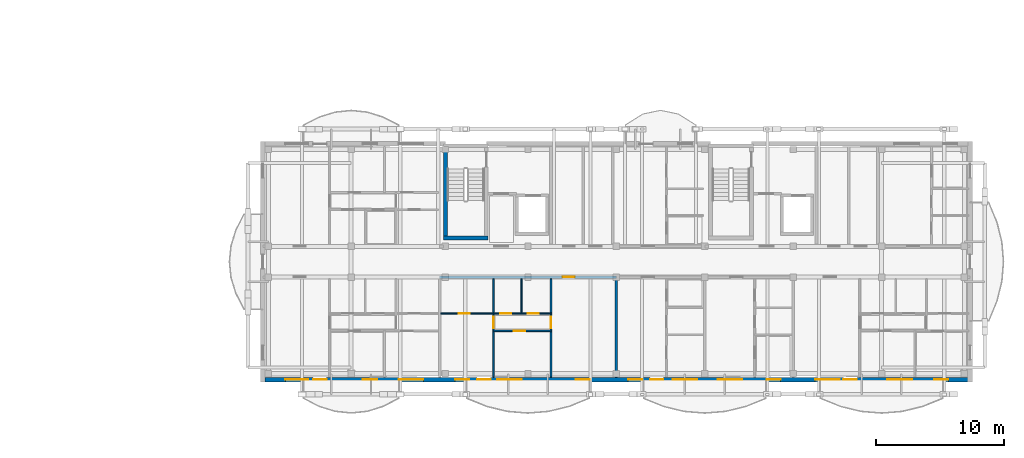
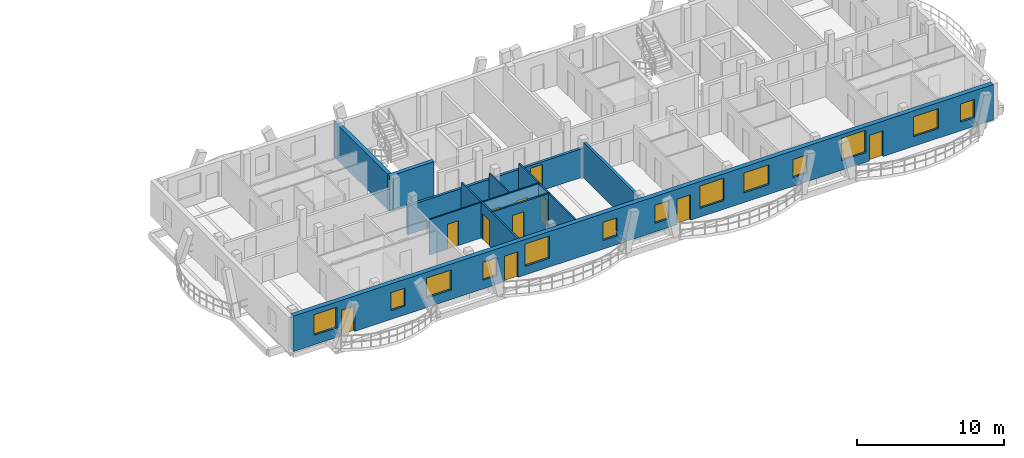
# One storey, part 30 of 50: 13 windows, 11 doors, 10 walls, 24 openings.
"""IFC4 building model written with IfcOpenShell, lengths in metres."""

from ifc_helpers import new_model, si_unit, direction, frame, frame_2d, origin, origin_with_axes, place, context, subcontext, project, spatial, rectangle, extrude, material, layer, layer_set, type_object, element, fill, save


model = new_model("IFC4")

# Units and contexts
model_context = context("Model", 3, precision=1e-05, world=origin(), true_north=direction((0.0, 1.0)))
body_context = subcontext(model_context, "Body", "Model", "MODEL_VIEW")
ifc_project = project(units=[si_unit("LENGTHUNIT", "METRE"), si_unit("AREAUNIT", "SQUARE_METRE"), si_unit("VOLUMEUNIT", "CUBIC_METRE"), si_unit("PLANEANGLEUNIT", "RADIAN"), si_unit("MASSUNIT", "GRAM", prefix="KILO")], contexts=[model_context])

# Site, building, storey
site_placement = place(None, origin())
site = spatial("IfcSite", under=ifc_project, at=site_placement, CompositionType="ELEMENT")
building_placement = place(site_placement, origin())
building = spatial("IfcBuilding", under=site, at=building_placement, Name="Zavelmont Quarter", CompositionType="ELEMENT")
storey_placement = place(building_placement, frame((0.0, 0.0, 11.199951171875)))
storey = spatial("IfcBuildingStorey", under=building, at=storey_placement, Name="L03", CompositionType="ELEMENT", Elevation=11.199951171875)

# Wall, openings, doors, windows
ifc_material_1 = material(Name="Natural Belgian limestone", Category="masonry")
ifc_layer_1 = layer(ifc_material_1, 0.360107421875)
ifc_layer_set_1 = layer_set([ifc_layer_1], Name="Natural Belgian limestone")
wall_type_1 = type_object("IfcWallType", Name="EW02", PredefinedType="STANDARD", material=ifc_layer_set_1)
wall_1_placement = place(storey_placement, frame((112.969970703125, 0.0, 0.0), z_axis=(0.0, 0.0, 1.0), x_axis=(1.0, 0.0, 0.0)))
wall_1 = element("IfcWall", 1, at=wall_1_placement, inside=storey, type_object=wall_type_1, Name="L03 exterior limestone wall EW02", PredefinedType="STANDARD", context=body_context, shape_type="SweptSolid", body=[
    extrude(rectangle(XDim=54.860107421875, YDim=0.360107421875, at=frame_2d((27.43017578125, 0.0))), origin(), (0.0, 0.0, 1.0), 2.93994140625),
])
opening_1_placement = place(wall_1_placement, frame((3.763671875, 0.0, 0.0)))
opening_1 = element("IfcOpeningElement", 2, at=opening_1_placement, cuts=wall_1, Name="Opening DR04A", PredefinedType="OPENING", context=body_context, shape_type="SweptSolid", body=[
    extrude(rectangle(XDim=1.050048828125, YDim=2.1201171875, at=frame_2d((0.52490234375, 1.06005859375))), frame((0.0, 0.19189453125, 0.0), z_axis=(0.0, -1.0, 0.0), x_axis=(1.0, 0.0, 0.0)), (0.0, 0.0, 1.0), 0.384033203125),
])
opening_2_placement = place(wall_1_placement, frame((16.5576171875, 0.0, 0.0)))
opening_2 = element("IfcOpeningElement", 3, at=opening_2_placement, cuts=wall_1, Name="Opening DR04A", PredefinedType="OPENING", context=body_context, shape_type="SweptSolid", body=[
    extrude(rectangle(XDim=1.050048828125, YDim=2.1201171875, at=frame_2d((0.52490234375, 1.06005859375))), frame((0.0, 0.19189453125, 0.0), z_axis=(0.0, -1.0, 0.0), x_axis=(1.0, 0.0, 0.0)), (0.0, 0.0, 1.0), 0.384033203125),
])
opening_3_placement = place(wall_1_placement, frame((30.0576171875, 0.0, 0.0)))
opening_3 = element("IfcOpeningElement", 4, at=opening_3_placement, cuts=wall_1, Name="Opening DR04A", PredefinedType="OPENING", context=body_context, shape_type="SweptSolid", body=[
    extrude(rectangle(XDim=1.050048828125, YDim=2.1201171875, at=frame_2d((0.52490234375, 1.06005859375))), frame((0.0, 0.19189453125, 0.0), z_axis=(0.0, -1.0, 0.0), x_axis=(1.0, 0.0, 0.0)), (0.0, 0.0, 1.0), 0.384033203125),
])
opening_4_placement = place(wall_1_placement, frame((45.15771484375, 0.0, 0.0)))
opening_4 = element("IfcOpeningElement", 5, at=opening_4_placement, cuts=wall_1, Name="Opening DR04A", PredefinedType="OPENING", context=body_context, shape_type="SweptSolid", body=[
    extrude(rectangle(XDim=1.050048828125, YDim=2.1201171875, at=frame_2d((0.52490234375, 1.06005859375))), frame((0.0, 0.19189453125, 0.0), z_axis=(0.0, -1.0, 0.0), x_axis=(1.0, 0.0, 0.0)), (0.0, 0.0, 1.0), 0.384033203125),
])
opening_5_placement = place(wall_1_placement, frame((1.60009765625, 0.0, 0.800048828125)))
opening_5 = element("IfcOpeningElement", 6, at=opening_5_placement, cuts=wall_1, Name="Opening WN02", PredefinedType="OPENING", context=body_context, shape_type="SweptSolid", body=[
    extrude(rectangle(XDim=1.800048828125, YDim=1.699951171875, at=frame_2d((0.89990234375, 0.85009765625))), frame((0.0, 0.19189453125, 0.0), z_axis=(0.0, -1.0, 0.0), x_axis=(1.0, 0.0, 0.0)), (0.0, 0.0, 1.0), 0.384033203125),
])
opening_6_placement = place(wall_1_placement, frame((7.64990234375, 0.0, 0.719970703125)))
opening_6 = element("IfcOpeningElement", 7, at=opening_6_placement, cuts=wall_1, Name="Opening WN09", PredefinedType="OPENING", context=body_context, shape_type="SweptSolid", body=[
    extrude(rectangle(XDim=1.10009765625, YDim=1.5, at=frame_2d((0.550048828125, 0.75))), frame((0.0, 0.19189453125, 0.0), z_axis=(0.0, -1.0, 0.0), x_axis=(1.0, 0.0, 0.0)), (0.0, 0.0, 1.0), 0.384033203125),
])
opening_7_placement = place(wall_1_placement, frame((10.425048828125, 0.0, 0.800048828125)))
opening_7 = element("IfcOpeningElement", 8, at=opening_7_placement, cuts=wall_1, Name="Opening WN24", PredefinedType="OPENING", context=body_context, shape_type="SweptSolid", body=[
    extrude(rectangle(XDim=1.949951171875, YDim=1.64990234375, at=frame_2d((0.97509765625, 0.824951171875))), frame((0.0, 0.19189453125, 0.0), z_axis=(0.0, -1.0, 0.0), x_axis=(1.0, 0.0, 0.0)), (0.0, 0.0, 1.0), 0.384033203125),
])
opening_8_placement = place(wall_1_placement, frame((14.85009765625, 0.0, 0.719970703125)))
opening_8 = element("IfcOpeningElement", 9, at=opening_8_placement, cuts=wall_1, Name="Opening WN09", PredefinedType="OPENING", context=body_context, shape_type="SweptSolid", body=[
    extrude(rectangle(XDim=1.10009765625, YDim=1.5, at=frame_2d((0.550048828125, 0.75))), frame((0.0, 0.19189453125, 0.0), z_axis=(0.0, -1.0, 0.0), x_axis=(1.0, 0.0, 0.0)), (0.0, 0.0, 1.0), 0.384033203125),
])
opening_9_placement = place(wall_1_placement, frame((18.14990234375, 0.0, 0.719970703125)))
opening_9 = element("IfcOpeningElement", 10, at=opening_9_placement, cuts=wall_1, Name="Opening WN20", PredefinedType="OPENING", context=body_context, shape_type="SweptSolid", body=[
    extrude(rectangle(XDim=1.89990234375, YDim=1.85009765625, at=frame_2d((0.949951171875, 0.925048828125))), frame((0.0, 0.19189453125, 0.0), z_axis=(0.0, -1.0, 0.0), x_axis=(1.0, 0.0, 0.0)), (0.0, 0.0, 1.0), 0.384033203125),
])
opening_10_placement = place(wall_1_placement, frame((24.25, 0.0, 0.719970703125)))
opening_10 = element("IfcOpeningElement", 11, at=opening_10_placement, cuts=wall_1, Name="Opening WN09", PredefinedType="OPENING", context=body_context, shape_type="SweptSolid", body=[
    extrude(rectangle(XDim=1.10009765625, YDim=1.5, at=frame_2d((0.550048828125, 0.75))), frame((0.0, 0.19189453125, 0.0), z_axis=(0.0, -1.0, 0.0), x_axis=(1.0, 0.0, 0.0)), (0.0, 0.0, 1.0), 0.384033203125),
])
opening_11_placement = place(wall_1_placement, frame((28.35009765625, 0.0, 0.719970703125)))
opening_11 = element("IfcOpeningElement", 12, at=opening_11_placement, cuts=wall_1, Name="Opening WN09", PredefinedType="OPENING", context=body_context, shape_type="SweptSolid", body=[
    extrude(rectangle(XDim=1.10009765625, YDim=1.5, at=frame_2d((0.550048828125, 0.75))), frame((0.0, 0.19189453125, 0.0), z_axis=(0.0, -1.0, 0.0), x_axis=(1.0, 0.0, 0.0)), (0.0, 0.0, 1.0), 0.384033203125),
])
opening_12_placement = place(wall_1_placement, frame((31.85009765625, 0.0, 0.719970703125)))
opening_12 = element("IfcOpeningElement", 13, at=opening_12_placement, cuts=wall_1, Name="Opening WN20", PredefinedType="OPENING", context=body_context, shape_type="SweptSolid", body=[
    extrude(rectangle(XDim=1.89990234375, YDim=1.85009765625, at=frame_2d((0.949951171875, 0.925048828125))), frame((0.0, 0.19189453125, 0.0), z_axis=(0.0, -1.0, 0.0), x_axis=(1.0, 0.0, 0.0)), (0.0, 0.0, 1.0), 0.384033203125),
])
opening_13_placement = place(wall_1_placement, frame((35.324951171875, 0.0, 0.800048828125)))
opening_13 = element("IfcOpeningElement", 14, at=opening_13_placement, cuts=wall_1, Name="Opening WN24", PredefinedType="OPENING", context=body_context, shape_type="SweptSolid", body=[
    extrude(rectangle(XDim=1.949951171875, YDim=1.64990234375, at=frame_2d((0.97509765625, 0.824951171875))), frame((0.0, 0.19189453125, 0.0), z_axis=(0.0, -1.0, 0.0), x_axis=(1.0, 0.0, 0.0)), (0.0, 0.0, 1.0), 0.384033203125),
])
opening_14_placement = place(wall_1_placement, frame((39.14990234375, 0.0, 0.719970703125)))
opening_14 = element("IfcOpeningElement", 15, at=opening_14_placement, cuts=wall_1, Name="Opening WN09", PredefinedType="OPENING", context=body_context, shape_type="SweptSolid", body=[
    extrude(rectangle(XDim=1.10009765625, YDim=1.5, at=frame_2d((0.550048828125, 0.75))), frame((0.0, 0.19189453125, 0.0), z_axis=(0.0, -1.0, 0.0), x_axis=(1.0, 0.0, 0.0)), (0.0, 0.0, 1.0), 0.384033203125),
])
opening_15_placement = place(wall_1_placement, frame((42.949951171875, 0.0, 0.800048828125)))
opening_15 = element("IfcOpeningElement", 16, at=opening_15_placement, cuts=wall_1, Name="Opening WN20", PredefinedType="OPENING", context=body_context, shape_type="SweptSolid", body=[
    extrude(rectangle(XDim=1.89990234375, YDim=1.85009765625, at=frame_2d((0.949951171875, 0.925048828125))), frame((0.0, 0.19189453125, 0.0), z_axis=(0.0, -1.0, 0.0), x_axis=(1.0, 0.0, 0.0)), (0.0, 0.0, 1.0), 0.384033203125),
])
opening_16_placement = place(wall_1_placement, frame((48.58251953125, 0.0, 0.800048828125)))
opening_16 = element("IfcOpeningElement", 17, at=opening_16_placement, cuts=wall_1, Name="Opening WN24", PredefinedType="OPENING", context=body_context, shape_type="SweptSolid", body=[
    extrude(rectangle(XDim=1.949951171875, YDim=1.64990234375, at=frame_2d((0.97509765625, 0.824951171875))), frame((0.0, 0.19189453125, 0.0), z_axis=(0.0, -1.0, 0.0), x_axis=(1.0, 0.0, 0.0)), (0.0, 0.0, 1.0), 0.384033203125),
])
opening_17_placement = place(wall_1_placement, frame((52.25, 0.0, 0.719970703125)))
opening_17 = element("IfcOpeningElement", 18, at=opening_17_placement, cuts=wall_1, Name="Opening WN09", PredefinedType="OPENING", context=body_context, shape_type="SweptSolid", body=[
    extrude(rectangle(XDim=1.10009765625, YDim=1.5, at=frame_2d((0.550048828125, 0.75))), frame((0.0, 0.19189453125, 0.0), z_axis=(0.0, -1.0, 0.0), x_axis=(1.0, 0.0, 0.0)), (0.0, 0.0, 1.0), 0.384033203125),
])
ifc_material_2 = material(Name="Thermally broken aluminium and double safety glass", Category="aluminium")
door_type_1 = type_object("IfcDoorType", Name="DR04A", OperationType="NOTDEFINED", PredefinedType="DOOR", material=ifc_material_2)
door_1_placement = place(opening_1_placement, origin_with_axes())
door_1 = element("IfcDoor", 19, at=door_1_placement, inside=storey, type_object=door_type_1, Name="Block D L03 glazed balcony door", OperationType="SINGLE_SWING_RIGHT", OverallHeight=2.1201171875, OverallWidth=1.050048828125, PredefinedType="DOOR", context=body_context, shape_type="SweptSolid", body=[
    extrude(rectangle(XDim=1.050048828125, YDim=2.1201171875, at=frame_2d((0.52490234375, 1.06005859375))), frame((0.0, 0.02490234375, 0.0), z_axis=(0.0, -1.0, 0.0), x_axis=(1.0, 0.0, 0.0)), (0.0, 0.0, 1.0), 0.050048828125),
])
fill(opening_1, door_1)
door_2_placement = place(opening_2_placement, origin_with_axes())
door_2 = element("IfcDoor", 20, at=door_2_placement, inside=storey, type_object=door_type_1, Name="Block D L03 glazed balcony door", OperationType="SINGLE_SWING_RIGHT", OverallHeight=2.1201171875, OverallWidth=1.050048828125, PredefinedType="DOOR", context=body_context, shape_type="SweptSolid", body=[
    extrude(rectangle(XDim=1.050048828125, YDim=2.1201171875, at=frame_2d((0.52490234375, 1.06005859375))), frame((0.0, 0.02490234375, 0.0), z_axis=(0.0, -1.0, 0.0), x_axis=(1.0, 0.0, 0.0)), (0.0, 0.0, 1.0), 0.050048828125),
])
fill(opening_2, door_2)
door_3_placement = place(opening_3_placement, origin_with_axes())
door_3 = element("IfcDoor", 21, at=door_3_placement, inside=storey, type_object=door_type_1, Name="Block D L03 glazed balcony door", OperationType="SINGLE_SWING_RIGHT", OverallHeight=2.1201171875, OverallWidth=1.050048828125, PredefinedType="DOOR", context=body_context, shape_type="SweptSolid", body=[
    extrude(rectangle(XDim=1.050048828125, YDim=2.1201171875, at=frame_2d((0.52490234375, 1.06005859375))), frame((0.0, 0.02490234375, 0.0), z_axis=(0.0, -1.0, 0.0), x_axis=(1.0, 0.0, 0.0)), (0.0, 0.0, 1.0), 0.050048828125),
])
fill(opening_3, door_3)
door_4_placement = place(opening_4_placement, origin_with_axes())
door_4 = element("IfcDoor", 22, at=door_4_placement, inside=storey, type_object=door_type_1, Name="Block D L03 glazed balcony door", OperationType="SINGLE_SWING_RIGHT", OverallHeight=2.1201171875, OverallWidth=1.050048828125, PredefinedType="DOOR", context=body_context, shape_type="SweptSolid", body=[
    extrude(rectangle(XDim=1.050048828125, YDim=2.1201171875, at=frame_2d((0.52490234375, 1.06005859375))), frame((0.0, 0.02490234375, 0.0), z_axis=(0.0, -1.0, 0.0), x_axis=(1.0, 0.0, 0.0)), (0.0, 0.0, 1.0), 0.050048828125),
])
fill(opening_4, door_4)
ifc_material_3 = material(Name="Double low-E insulated glazing in thermally broken aluminium frame", Category="aluminium")
window_type_1 = type_object("IfcWindowType", Name="WN02", PartitioningType="SINGLE_PANEL", PredefinedType="WINDOW", material=ifc_material_3)
window_1_placement = place(opening_5_placement, origin_with_axes())
window_1 = element("IfcWindow", 23, at=window_1_placement, inside=storey, type_object=window_type_1, Name="L03 window WN02", OverallHeight=1.699951171875, OverallWidth=1.800048828125, PartitioningType="SINGLE_PANEL", PredefinedType="WINDOW", context=body_context, shape_type="SweptSolid", body=[
    extrude(rectangle(XDim=1.800048828125, YDim=1.699951171875, at=frame_2d((0.89990234375, 0.85009765625))), frame((0.0, 0.030029296875, 0.0), z_axis=(0.0, -1.0, 0.0), x_axis=(1.0, 0.0, 0.0)), (0.0, 0.0, 1.0), 0.06005859375),
])
fill(opening_5, window_1)
window_type_2 = type_object("IfcWindowType", Name="WN09", PartitioningType="SINGLE_PANEL", PredefinedType="WINDOW", material=ifc_material_3)
window_2_placement = place(opening_6_placement, origin_with_axes())
window_2 = element("IfcWindow", 24, at=window_2_placement, inside=storey, type_object=window_type_2, Name="L03 window WN09", OverallHeight=1.5, OverallWidth=1.10009765625, PartitioningType="SINGLE_PANEL", PredefinedType="WINDOW", context=body_context, shape_type="SweptSolid", body=[
    extrude(rectangle(XDim=1.10009765625, YDim=1.5, at=frame_2d((0.550048828125, 0.75))), frame((0.0, 0.030029296875, 0.0), z_axis=(0.0, -1.0, 0.0), x_axis=(1.0, 0.0, 0.0)), (0.0, 0.0, 1.0), 0.06005859375),
])
fill(opening_6, window_2)
window_3_placement = place(opening_8_placement, origin_with_axes())
window_3 = element("IfcWindow", 25, at=window_3_placement, inside=storey, type_object=window_type_2, Name="L03 window WN09", OverallHeight=1.5, OverallWidth=1.10009765625, PartitioningType="SINGLE_PANEL", PredefinedType="WINDOW", context=body_context, shape_type="SweptSolid", body=[
    extrude(rectangle(XDim=1.10009765625, YDim=1.5, at=frame_2d((0.550048828125, 0.75))), frame((0.0, 0.030029296875, 0.0), z_axis=(0.0, -1.0, 0.0), x_axis=(1.0, 0.0, 0.0)), (0.0, 0.0, 1.0), 0.06005859375),
])
fill(opening_8, window_3)
window_4_placement = place(opening_10_placement, origin_with_axes())
window_4 = element("IfcWindow", 26, at=window_4_placement, inside=storey, type_object=window_type_2, Name="L03 window WN09", OverallHeight=1.5, OverallWidth=1.10009765625, PartitioningType="SINGLE_PANEL", PredefinedType="WINDOW", context=body_context, shape_type="SweptSolid", body=[
    extrude(rectangle(XDim=1.10009765625, YDim=1.5, at=frame_2d((0.550048828125, 0.75))), frame((0.0, 0.030029296875, 0.0), z_axis=(0.0, -1.0, 0.0), x_axis=(1.0, 0.0, 0.0)), (0.0, 0.0, 1.0), 0.06005859375),
])
fill(opening_10, window_4)
window_5_placement = place(opening_11_placement, origin_with_axes())
window_5 = element("IfcWindow", 27, at=window_5_placement, inside=storey, type_object=window_type_2, Name="L03 window WN09", OverallHeight=1.5, OverallWidth=1.10009765625, PartitioningType="SINGLE_PANEL", PredefinedType="WINDOW", context=body_context, shape_type="SweptSolid", body=[
    extrude(rectangle(XDim=1.10009765625, YDim=1.5, at=frame_2d((0.550048828125, 0.75))), frame((0.0, 0.030029296875, 0.0), z_axis=(0.0, -1.0, 0.0), x_axis=(1.0, 0.0, 0.0)), (0.0, 0.0, 1.0), 0.06005859375),
])
fill(opening_11, window_5)
window_6_placement = place(opening_14_placement, origin_with_axes())
window_6 = element("IfcWindow", 28, at=window_6_placement, inside=storey, type_object=window_type_2, Name="L03 window WN09", OverallHeight=1.5, OverallWidth=1.10009765625, PartitioningType="SINGLE_PANEL", PredefinedType="WINDOW", context=body_context, shape_type="SweptSolid", body=[
    extrude(rectangle(XDim=1.10009765625, YDim=1.5, at=frame_2d((0.550048828125, 0.75))), frame((0.0, 0.030029296875, 0.0), z_axis=(0.0, -1.0, 0.0), x_axis=(1.0, 0.0, 0.0)), (0.0, 0.0, 1.0), 0.06005859375),
])
fill(opening_14, window_6)
window_7_placement = place(opening_17_placement, origin_with_axes())
window_7 = element("IfcWindow", 29, at=window_7_placement, inside=storey, type_object=window_type_2, Name="L03 window WN09", OverallHeight=1.5, OverallWidth=1.10009765625, PartitioningType="SINGLE_PANEL", PredefinedType="WINDOW", context=body_context, shape_type="SweptSolid", body=[
    extrude(rectangle(XDim=1.10009765625, YDim=1.5, at=frame_2d((0.550048828125, 0.75))), frame((0.0, 0.030029296875, 0.0), z_axis=(0.0, -1.0, 0.0), x_axis=(1.0, 0.0, 0.0)), (0.0, 0.0, 1.0), 0.06005859375),
])
fill(opening_17, window_7)
window_type_3 = type_object("IfcWindowType", Name="WN20", PartitioningType="SINGLE_PANEL", PredefinedType="WINDOW", material=ifc_material_3)
window_8_placement = place(opening_9_placement, origin_with_axes())
window_8 = element("IfcWindow", 30, at=window_8_placement, inside=storey, type_object=window_type_3, Name="L03 window WN20", OverallHeight=1.85009765625, OverallWidth=1.89990234375, PartitioningType="SINGLE_PANEL", PredefinedType="WINDOW", context=body_context, shape_type="SweptSolid", body=[
    extrude(rectangle(XDim=1.89990234375, YDim=1.85009765625, at=frame_2d((0.949951171875, 0.925048828125))), frame((0.0, 0.030029296875, 0.0), z_axis=(0.0, -1.0, 0.0), x_axis=(1.0, 0.0, 0.0)), (0.0, 0.0, 1.0), 0.06005859375),
])
fill(opening_9, window_8)
window_9_placement = place(opening_12_placement, origin_with_axes())
window_9 = element("IfcWindow", 31, at=window_9_placement, inside=storey, type_object=window_type_3, Name="L03 window WN20", OverallHeight=1.85009765625, OverallWidth=1.89990234375, PartitioningType="SINGLE_PANEL", PredefinedType="WINDOW", context=body_context, shape_type="SweptSolid", body=[
    extrude(rectangle(XDim=1.89990234375, YDim=1.85009765625, at=frame_2d((0.949951171875, 0.925048828125))), frame((0.0, 0.030029296875, 0.0), z_axis=(0.0, -1.0, 0.0), x_axis=(1.0, 0.0, 0.0)), (0.0, 0.0, 1.0), 0.06005859375),
])
fill(opening_12, window_9)
window_10_placement = place(opening_15_placement, origin_with_axes())
window_10 = element("IfcWindow", 32, at=window_10_placement, inside=storey, type_object=window_type_3, Name="L03 window WN20", OverallHeight=1.85009765625, OverallWidth=1.89990234375, PartitioningType="SINGLE_PANEL", PredefinedType="WINDOW", context=body_context, shape_type="SweptSolid", body=[
    extrude(rectangle(XDim=1.89990234375, YDim=1.85009765625, at=frame_2d((0.949951171875, 0.925048828125))), frame((0.0, 0.030029296875, 0.0), z_axis=(0.0, -1.0, 0.0), x_axis=(1.0, 0.0, 0.0)), (0.0, 0.0, 1.0), 0.06005859375),
])
fill(opening_15, window_10)
window_type_4 = type_object("IfcWindowType", Name="WN24", PartitioningType="SINGLE_PANEL", PredefinedType="WINDOW", material=ifc_material_3)
window_11_placement = place(opening_7_placement, origin_with_axes())
window_11 = element("IfcWindow", 33, at=window_11_placement, inside=storey, type_object=window_type_4, Name="L03 window WN24", OverallHeight=1.64990234375, OverallWidth=1.949951171875, PartitioningType="SINGLE_PANEL", PredefinedType="WINDOW", context=body_context, shape_type="SweptSolid", body=[
    extrude(rectangle(XDim=1.949951171875, YDim=1.64990234375, at=frame_2d((0.97509765625, 0.824951171875))), frame((0.0, 0.030029296875, 0.0), z_axis=(0.0, -1.0, 0.0), x_axis=(1.0, 0.0, 0.0)), (0.0, 0.0, 1.0), 0.06005859375),
])
fill(opening_7, window_11)
window_12_placement = place(opening_13_placement, origin_with_axes())
window_12 = element("IfcWindow", 34, at=window_12_placement, inside=storey, type_object=window_type_4, Name="L03 window WN24", OverallHeight=1.64990234375, OverallWidth=1.949951171875, PartitioningType="SINGLE_PANEL", PredefinedType="WINDOW", context=body_context, shape_type="SweptSolid", body=[
    extrude(rectangle(XDim=1.949951171875, YDim=1.64990234375, at=frame_2d((0.97509765625, 0.824951171875))), frame((0.0, 0.030029296875, 0.0), z_axis=(0.0, -1.0, 0.0), x_axis=(1.0, 0.0, 0.0)), (0.0, 0.0, 1.0), 0.06005859375),
])
fill(opening_13, window_12)
window_13_placement = place(opening_16_placement, origin_with_axes())
window_13 = element("IfcWindow", 35, at=window_13_placement, inside=storey, type_object=window_type_4, Name="L03 window WN24", OverallHeight=1.64990234375, OverallWidth=1.949951171875, PartitioningType="SINGLE_PANEL", PredefinedType="WINDOW", context=body_context, shape_type="SweptSolid", body=[
    extrude(rectangle(XDim=1.949951171875, YDim=1.64990234375, at=frame_2d((0.97509765625, 0.824951171875))), frame((0.0, 0.030029296875, 0.0), z_axis=(0.0, -1.0, 0.0), x_axis=(1.0, 0.0, 0.0)), (0.0, 0.0, 1.0), 0.06005859375),
])
fill(opening_16, window_13)

# Wall
ifc_material_4 = material(Name="Calcium-silicate blockwork and acoustic plaster", Category="masonry")
ifc_layer_2 = layer(ifc_material_4, 0.199951171875)
ifc_layer_set_2 = layer_set([ifc_layer_2], Name="Calcium-silicate blockwork and acoustic plaster")
wall_type_2 = type_object("IfcWallType", Name="IW01", PredefinedType="PARTITIONING", material=ifc_layer_set_2)
wall_2_placement = place(storey_placement, frame((140.39990234375, 7.85009765625, 0.0), z_axis=(0.0, 0.0, 1.0), x_axis=(0.0, -1.0, 0.0)))
element("IfcWall", 36, at=wall_2_placement, inside=storey, type_object=wall_type_2, Name="L03 Inter-dwelling compartment wall IW01", PredefinedType="PARTITIONING", context=body_context, shape_type="SweptSolid", body=[
    extrude(rectangle(XDim=7.7001953125, YDim=0.199951171875, at=frame_2d((3.85009765625, 0.0))), origin(), (0.0, 0.0, 1.0), 2.93994140625),
])

# Wall, opening, door
wall_3_placement = place(storey_placement, frame((126.60009765625, 8.0, 0.0), z_axis=(0.0, 0.0, 1.0), x_axis=(1.0, 0.0, 0.0)))
wall_3 = element("IfcWall", 37, at=wall_3_placement, inside=storey, type_object=wall_type_2, Name="L03 Corridor compartment wall IW01", PredefinedType="PARTITIONING", context=body_context, shape_type="SweptSolid", body=[
    extrude(rectangle(XDim=13.7998046875, YDim=0.199951171875, at=frame_2d((6.89990234375, 0.0))), origin(), (0.0, 0.0, 1.0), 2.380126953125),
])
opening_18_placement = place(wall_3_placement, frame((9.60009765625, 0.0, 0.0)))
opening_18 = element("IfcOpeningElement", 38, at=opening_18_placement, cuts=wall_3, Name="Opening DR02", PredefinedType="OPENING", context=body_context, shape_type="SweptSolid", body=[
    extrude(rectangle(XDim=0.949951171875, YDim=2.14990234375, at=frame_2d((0.47509765625, 1.074951171875))), frame((0.0, 0.11181640625, 0.0), z_axis=(0.0, -1.0, 0.0), x_axis=(1.0, 0.0, 0.0)), (0.0, 0.0, 1.0), 0.223876953125),
])
ifc_material_5 = material(Name="Solid-core oak fire leaf in steel frame", Category="steel")
door_type_2 = type_object("IfcDoorType", Name="DR02", OperationType="NOTDEFINED", PredefinedType="DOOR", material=ifc_material_5)
door_5_placement = place(opening_18_placement, frame((0.949951171875, 0.0, 0.0), z_axis=(0.0, 0.0, 1.0), x_axis=(-1.0, 0.0, 0.0)))
door_5 = element("IfcDoor", 39, at=door_5_placement, inside=storey, type_object=door_type_2, Name="L03 door DR02", OperationType="SINGLE_SWING_RIGHT", OverallHeight=2.14990234375, OverallWidth=0.949951171875, PredefinedType="DOOR", context=body_context, shape_type="SweptSolid", body=[
    extrude(rectangle(XDim=0.949951171875, YDim=2.14990234375, at=frame_2d((0.47509765625, 1.074951171875))), frame((0.0, 0.02490234375, 0.0), z_axis=(0.0, -1.0, 0.0), x_axis=(1.0, 0.0, 0.0)), (0.0, 0.0, 1.0), 0.050048828125),
])
fill(opening_18, door_5)

ifc_material_6 = material(Name="Double gypsum board on acoustic steel stud", Category="steel")
ifc_layer_3 = layer(ifc_material_6, 0.125)
ifc_layer_set_3 = layer_set([ifc_layer_3], Name="Double gypsum board on acoustic steel stud")
wall_type_3 = type_object("IfcWallType", Name="IW03", PredefinedType="PARTITIONING", material=ifc_layer_set_3)
wall_4_placement = place(storey_placement, frame((135.300048828125, 7.85009765625, 0.0), z_axis=(0.0, 0.0, 1.0), x_axis=(0.0, -1.0, 0.0)))
wall_4 = element("IfcWall", 40, at=wall_4_placement, inside=storey, type_object=wall_type_3, Name="L03 Partition IW03", PredefinedType="PARTITIONING", context=body_context, shape_type="SweptSolid", body=[
    extrude(rectangle(XDim=7.650146484375, YDim=0.125, at=frame_2d((3.8251953125, 0.0))), origin(), (0.0, 0.0, 1.0), 2.93994140625),
])
opening_19_placement = place(wall_4_placement, frame((2.949951171875, 0.0, 0.0)))
opening_19 = element("IfcOpeningElement", 41, at=opening_19_placement, cuts=wall_4, Name="Opening DR05", PredefinedType="OPENING", context=body_context, shape_type="SweptSolid", body=[
    extrude(rectangle(XDim=0.89990234375, YDim=2.10009765625, at=frame_2d((0.449951171875, 1.050048828125))), frame((0.0, 0.074462890625, 0.0), z_axis=(0.0, -1.0, 0.0), x_axis=(1.0, 0.0, 0.0)), (0.0, 0.0, 1.0), 0.14892578125),
])
ifc_material_7 = material(Name="Engineered oak flush interior door")
door_type_3 = type_object("IfcDoorType", Name="DR05", OperationType="NOTDEFINED", PredefinedType="DOOR", material=ifc_material_7)
door_6_placement = place(opening_19_placement, frame((0.89990234375, 0.0, 0.0), z_axis=(0.0, 0.0, 1.0), x_axis=(-1.0, 0.0, 0.0)))
door_6 = element("IfcDoor", 42, at=door_6_placement, inside=storey, type_object=door_type_3, Name="L03 door DR05", OperationType="SINGLE_SWING_RIGHT", OverallHeight=2.10009765625, OverallWidth=0.89990234375, PredefinedType="DOOR", context=body_context, shape_type="SweptSolid", body=[
    extrude(rectangle(XDim=0.89990234375, YDim=2.10009765625, at=frame_2d((0.449951171875, 1.050048828125))), frame((0.0, 0.02490234375, 0.0), z_axis=(0.0, -1.0, 0.0), x_axis=(1.0, 0.0, 0.0)), (0.0, 0.0, 1.0), 0.050048828125),
])
fill(opening_19, door_6)

wall_5_placement = place(storey_placement, frame((130.800048828125, 7.85009765625, 0.0), z_axis=(0.0, 0.0, 1.0), x_axis=(0.0, -1.0, 0.0)))
wall_5 = element("IfcWall", 43, at=wall_5_placement, inside=storey, type_object=wall_type_3, Name="L03 Partition IW03", PredefinedType="PARTITIONING", context=body_context, shape_type="SweptSolid", body=[
    extrude(rectangle(XDim=7.650146484375, YDim=0.125, at=frame_2d((3.8251953125, 0.0))), origin(), (0.0, 0.0, 1.0), 2.93994140625),
])
opening_20_placement = place(wall_5_placement, frame((2.949951171875, 0.0, 0.0)))
opening_20 = element("IfcOpeningElement", 44, at=opening_20_placement, cuts=wall_5, Name="Opening DR05", PredefinedType="OPENING", context=body_context, shape_type="SweptSolid", body=[
    extrude(rectangle(XDim=0.89990234375, YDim=2.10009765625, at=frame_2d((0.449951171875, 1.050048828125))), frame((0.0, 0.074462890625, 0.0), z_axis=(0.0, -1.0, 0.0), x_axis=(1.0, 0.0, 0.0)), (0.0, 0.0, 1.0), 0.14892578125),
])
door_7_placement = place(opening_20_placement, origin_with_axes())
door_7 = element("IfcDoor", 45, at=door_7_placement, inside=storey, type_object=door_type_3, Name="L03 door DR05", OperationType="SINGLE_SWING_LEFT", OverallHeight=2.10009765625, OverallWidth=0.89990234375, PredefinedType="DOOR", context=body_context, shape_type="SweptSolid", body=[
    extrude(rectangle(XDim=0.89990234375, YDim=2.10009765625, at=frame_2d((0.449951171875, 1.050048828125))), frame((0.0, 0.02490234375, 0.0), z_axis=(0.0, -1.0, 0.0), x_axis=(1.0, 0.0, 0.0)), (0.0, 0.0, 1.0), 0.050048828125),
])
fill(opening_20, door_7)

wall_6_placement = place(storey_placement, frame((130.800048828125, 3.800048828125, 0.0), z_axis=(0.0, 0.0, 1.0), x_axis=(1.0, 0.0, 0.0)))
wall_6 = element("IfcWall", 46, at=wall_6_placement, inside=storey, type_object=wall_type_3, Name="L03 Partition IW03", PredefinedType="PARTITIONING", context=body_context, shape_type="SweptSolid", body=[
    extrude(rectangle(XDim=4.5, YDim=0.125, at=frame_2d((2.25, 0.0))), origin(), (0.0, 0.0, 1.0), 2.93994140625),
])
opening_21_placement = place(wall_6_placement, frame((1.60009765625, 0.0, 0.0)))
opening_21 = element("IfcOpeningElement", 47, at=opening_21_placement, cuts=wall_6, Name="Opening DR05", PredefinedType="OPENING", context=body_context, shape_type="SweptSolid", body=[
    extrude(rectangle(XDim=0.89990234375, YDim=2.10009765625, at=frame_2d((0.449951171875, 1.050048828125))), frame((0.0, 0.074462890625, 0.0), z_axis=(0.0, -1.0, 0.0), x_axis=(1.0, 0.0, 0.0)), (0.0, 0.0, 1.0), 0.14892578125),
])
door_8_placement = place(opening_21_placement, origin_with_axes())
door_8 = element("IfcDoor", 48, at=door_8_placement, inside=storey, type_object=door_type_3, Name="L03 door DR05", OperationType="SINGLE_SWING_LEFT", OverallHeight=2.10009765625, OverallWidth=0.89990234375, PredefinedType="DOOR", context=body_context, shape_type="SweptSolid", body=[
    extrude(rectangle(XDim=0.89990234375, YDim=2.10009765625, at=frame_2d((0.449951171875, 1.050048828125))), frame((0.0, 0.02490234375, 0.0), z_axis=(0.0, -1.0, 0.0), x_axis=(1.0, 0.0, 0.0)), (0.0, 0.0, 1.0), 0.050048828125),
])
fill(opening_21, door_8)

# Wall
ifc_material_8 = material(Name="Moisture-resistant gypsum board on steel stud", Category="steel")
ifc_layer_4 = layer(ifc_material_8, 0.10009765625)
ifc_layer_set_4 = layer_set([ifc_layer_4], Name="Moisture-resistant gypsum board on steel stud")
wall_type_4 = type_object("IfcWallType", Name="IW04", PredefinedType="PARTITIONING", material=ifc_layer_set_4)
wall_7_placement = place(storey_placement, frame((133.0, 7.85009765625, 0.0), z_axis=(0.0, 0.0, 1.0), x_axis=(0.0, -1.0, 0.0)))
element("IfcWall", 49, at=wall_7_placement, inside=storey, type_object=wall_type_4, Name="L03 Partition IW04", PredefinedType="PARTITIONING", context=body_context, shape_type="SweptSolid", body=[
    extrude(rectangle(XDim=2.7001953125, YDim=0.10009765625, at=frame_2d((1.35009765625, 0.0))), origin(), (0.0, 0.0, 1.0), 2.93994140625),
])

# Wall, openings, doors
wall_8_placement = place(storey_placement, frame((126.699951171875, 5.14990234375, 0.0), z_axis=(0.0, 0.0, 1.0), x_axis=(1.0, 0.0, 0.0)))
wall_8 = element("IfcWall", 50, at=wall_8_placement, inside=storey, type_object=wall_type_4, Name="L03 Partition IW04", PredefinedType="PARTITIONING", context=body_context, shape_type="SweptSolid", body=[
    extrude(rectangle(XDim=8.60009765625, YDim=0.10009765625, at=frame_2d((4.300048828125, 0.0))), origin(), (0.0, 0.0, 1.0), 2.93994140625),
])
opening_22_placement = place(wall_8_placement, frame((1.39990234375, 0.0, 0.0)))
opening_22 = element("IfcOpeningElement", 51, at=opening_22_placement, cuts=wall_8, Name="Opening DR06", PredefinedType="OPENING", context=body_context, shape_type="SweptSolid", body=[
    extrude(rectangle(XDim=0.85009765625, YDim=2.050048828125, at=frame_2d((0.425048828125, 1.02490234375))), frame((0.0, 0.06201171875, 0.0), z_axis=(0.0, -1.0, 0.0), x_axis=(1.0, 0.0, 0.0)), (0.0, 0.0, 1.0), 0.1240234375),
])
opening_23_placement = place(wall_8_placement, frame((4.64990234375, 0.0, 0.0)))
opening_23 = element("IfcOpeningElement", 52, at=opening_23_placement, cuts=wall_8, Name="Opening DR06", PredefinedType="OPENING", context=body_context, shape_type="SweptSolid", body=[
    extrude(rectangle(XDim=0.85009765625, YDim=2.050048828125, at=frame_2d((0.425048828125, 1.02490234375))), frame((0.0, 0.06201171875, 0.0), z_axis=(0.0, -1.0, 0.0), x_axis=(1.0, 0.0, 0.0)), (0.0, 0.0, 1.0), 0.1240234375),
])
opening_24_placement = place(wall_8_placement, frame((6.800048828125, 0.0, 0.0)))
opening_24 = element("IfcOpeningElement", 53, at=opening_24_placement, cuts=wall_8, Name="Opening DR16", PredefinedType="OPENING", context=body_context, shape_type="SweptSolid", body=[
    extrude(rectangle(XDim=0.85009765625, YDim=2.10009765625, at=frame_2d((0.425048828125, 1.050048828125))), frame((0.0, 0.06201171875, 0.0), z_axis=(0.0, -1.0, 0.0), x_axis=(1.0, 0.0, 0.0)), (0.0, 0.0, 1.0), 0.1240234375),
])
ifc_material_9 = material(Name="Moisture-resistant painted wet-room door")
door_type_4 = type_object("IfcDoorType", Name="DR06", OperationType="NOTDEFINED", PredefinedType="DOOR", material=ifc_material_9)
door_9_placement = place(opening_22_placement, frame((0.85009765625, 0.0, 0.0), z_axis=(0.0, 0.0, 1.0), x_axis=(-1.0, 0.0, 0.0)))
door_9 = element("IfcDoor", 54, at=door_9_placement, inside=storey, type_object=door_type_4, Name="L03 door DR06", OperationType="SINGLE_SWING_RIGHT", OverallHeight=2.050048828125, OverallWidth=0.85009765625, PredefinedType="DOOR", context=body_context, shape_type="SweptSolid", body=[
    extrude(rectangle(XDim=0.85009765625, YDim=2.050048828125, at=frame_2d((0.425048828125, 1.02490234375))), frame((0.0, 0.02490234375, 0.0), z_axis=(0.0, -1.0, 0.0), x_axis=(1.0, 0.0, 0.0)), (0.0, 0.0, 1.0), 0.050048828125),
])
fill(opening_22, door_9)
door_10_placement = place(opening_23_placement, origin_with_axes())
door_10 = element("IfcDoor", 55, at=door_10_placement, inside=storey, type_object=door_type_4, Name="L03 door DR06", OperationType="SINGLE_SWING_LEFT", OverallHeight=2.050048828125, OverallWidth=0.85009765625, PredefinedType="DOOR", context=body_context, shape_type="SweptSolid", body=[
    extrude(rectangle(XDim=0.85009765625, YDim=2.050048828125, at=frame_2d((0.425048828125, 1.02490234375))), frame((0.0, 0.02490234375, 0.0), z_axis=(0.0, -1.0, 0.0), x_axis=(1.0, 0.0, 0.0)), (0.0, 0.0, 1.0), 0.050048828125),
])
fill(opening_23, door_10)
door_type_5 = type_object("IfcDoorType", Name="DR16", OperationType="NOTDEFINED", PredefinedType="DOOR", material=ifc_material_7)
door_11_placement = place(opening_24_placement, frame((0.85009765625, 0.0, 0.0), z_axis=(0.0, 0.0, 1.0), x_axis=(-1.0, 0.0, 0.0)))
door_11 = element("IfcDoor", 56, at=door_11_placement, inside=storey, type_object=door_type_5, Name="L03 door DR16", OperationType="SINGLE_SWING_RIGHT", OverallHeight=2.10009765625, OverallWidth=0.85009765625, PredefinedType="DOOR", context=body_context, shape_type="SweptSolid", body=[
    extrude(rectangle(XDim=0.85009765625, YDim=2.10009765625, at=frame_2d((0.425048828125, 1.050048828125))), frame((0.0, 0.02490234375, 0.0), z_axis=(0.0, -1.0, 0.0), x_axis=(1.0, 0.0, 0.0)), (0.0, 0.0, 1.0), 0.050048828125),
])
fill(opening_24, door_11)

# Walls
ifc_material_10 = material(Name="Concrete C40/50", Category="concrete")
ifc_layer_5 = layer(ifc_material_10, 0.300048828125)
ifc_layer_set_5 = layer_set([ifc_layer_5], Name="Concrete C40/50")
wall_type_5 = type_object("IfcWallType", Name="SW01", PredefinedType="SHEAR", material=ifc_layer_set_5)
wall_9_placement = place(storey_placement, frame((126.89990234375, 11.050048828125, 0.0), z_axis=(0.0, 0.0, 1.0), x_axis=(1.0, 0.0, 0.0)))
element("IfcWall", 57, at=wall_9_placement, inside=storey, type_object=wall_type_5, Name="L03 ST07 corridor shear wall SW01", PredefinedType="SHEAR", context=body_context, shape_type="SweptSolid", body=[
    extrude(rectangle(XDim=3.5, YDim=0.300048828125, at=frame_2d((1.75, 0.0))), origin(), (0.0, 0.0, 1.0), 2.93994140625),
])
wall_10_placement = place(storey_placement, frame((127.050048828125, 10.89990234375, 0.0), z_axis=(0.0, 0.0, 1.0), x_axis=(0.0, 1.0, 0.0)))
element("IfcWall", 58, at=wall_10_placement, inside=storey, type_object=wall_type_5, Name="L03 ST07 west shear wall SW01", PredefinedType="SHEAR", context=body_context, shape_type="SweptSolid", body=[
    extrude(rectangle(XDim=7.5, YDim=0.300048828125, at=frame_2d((3.75, 0.0))), origin(), (0.0, 0.0, 1.0), 2.93994140625),
])

save(model, "model.ifc")
